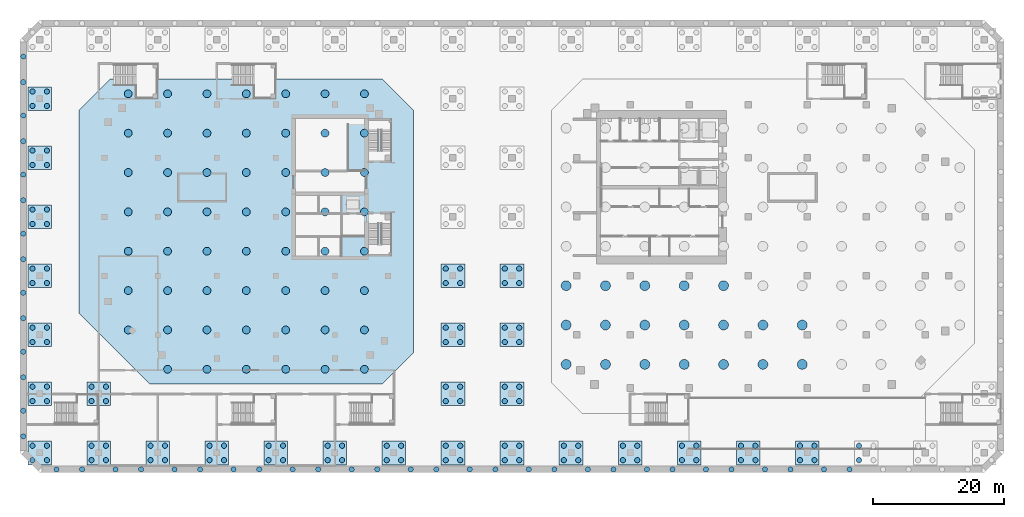
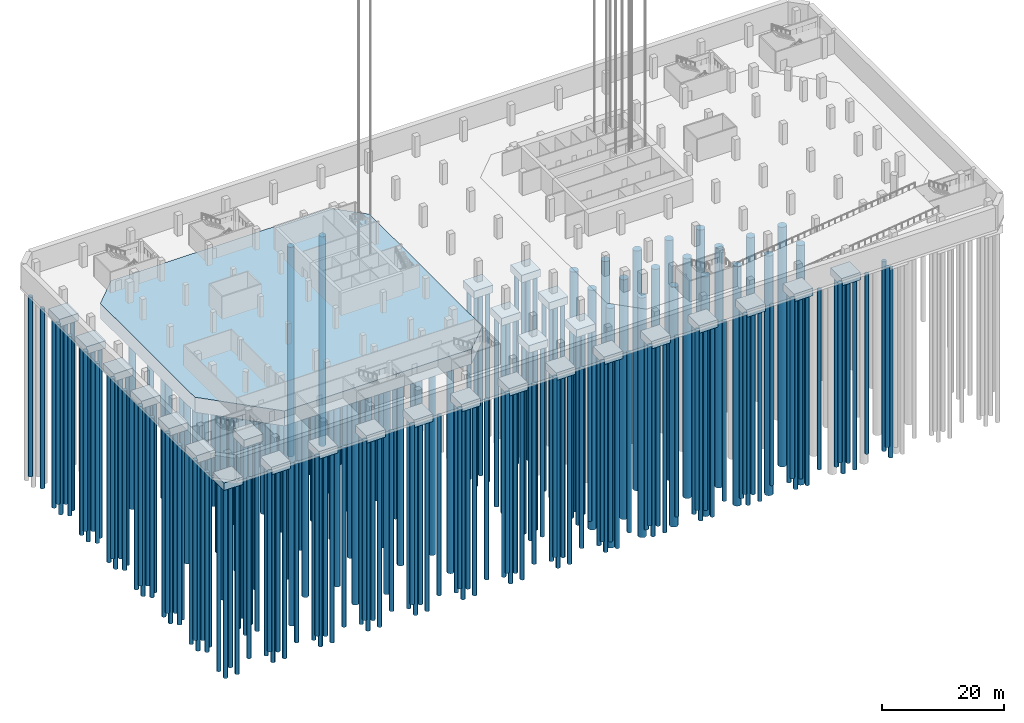
# One storey, part 1 of 30: 226 piles, 28 footings.
"""IFC4 building model written with IfcOpenShell, lengths in metres."""

from ifc_helpers import new_model, si_unit, direction, frame, origin, origin_2d, place, context, subcontext, project, spatial, polyline, circle, outline, extrude, material, layer, layer_set, type_object, element, save


model = new_model("IFC4")

# Units and contexts
model_context = context("Model", 3, precision=1e-05, world=origin(), true_north=direction((0.0, 1.0)))
body_context = subcontext(model_context, "Body", "Model", "MODEL_VIEW")
ifc_project = project(units=[si_unit("LENGTHUNIT", "METRE"), si_unit("AREAUNIT", "SQUARE_METRE"), si_unit("VOLUMEUNIT", "CUBIC_METRE"), si_unit("PLANEANGLEUNIT", "RADIAN"), si_unit("MASSUNIT", "GRAM", prefix="KILO")], contexts=[model_context])

# Site, building, storey
site_placement = place(None, origin())
site = spatial("IfcSite", under=ifc_project, at=site_placement, CompositionType="ELEMENT")
building_placement = place(site_placement, origin())
building = spatial("IfcBuilding", under=site, at=building_placement, Name="Cinnabar Reach Civic Tower", CompositionType="ELEMENT")
storey_placement = place(building_placement, frame((0.0, 0.0, -14.0)))
storey = spatial("IfcBuildingStorey", under=building, at=storey_placement, Name="B3", CompositionType="ELEMENT", Elevation=-14.0)

# Piles
ifc_material = material(Name="Concrete C40", Category="concrete")
pile_type_1 = type_object("IfcPileType", Name="Bored pile D1200", PredefinedType="BORED", material=ifc_material)
for number, where, z_axis, x_axis, name in (
    (1, (-67.5, 9.75, -3.0), (0.0, 0.0, -1.0), (1.0, 0.0, 0.0), "Raft pile T2 1"),
    (2, (-67.5, 15.75, -3.0), (0.0, 0.0, -1.0), (1.0, 0.0, 0.0), "Raft pile T2 2"),
    (3, (-67.5, 21.75, -3.0), (0.0, 0.0, -1.0), (1.0, 0.0, 0.0), "Raft pile T2 3"),
    (4, (-67.5, 27.75, -3.0), (0.0, 0.0, -1.0), (1.0, 0.0, 0.0), "Raft pile T2 4"),
    (5, (-67.5, 33.75, -3.0), (0.0, 0.0, -1.0), (1.0, 0.0, 0.0), "Raft pile T2 5"),
    (6, (-67.5, 39.75, -3.0), (0.0, 0.0, -1.0), (1.0, 0.0, 0.0), "Raft pile T2 6"),
    (7, (-67.5, 45.75, -3.0), (0.0, 0.0, -1.0), (1.0, 0.0, 0.0), "Raft pile T2 7"),
    (8, (-61.5, 3.75, -3.0), (0.0, 0.0, -1.0), (1.0, 0.0, 0.0), "Raft pile T2 8"),
    (9, (-61.5, 9.75, -3.0), (0.0, 0.0, -1.0), (1.0, 0.0, 0.0), "Raft pile T2 9"),
    (10, (-61.5, 15.75, -3.0), (0.0, 0.0, -1.0), (1.0, 0.0, 0.0), "Raft pile T2 10"),
    (11, (-61.5, 21.75, -3.0), (0.0, 0.0, -1.0), (1.0, 0.0, 0.0), "Raft pile T2 11"),
    (12, (-61.5, 27.75, -3.0), (0.0, 0.0, -1.0), (1.0, 0.0, 0.0), "Raft pile T2 12"),
    (13, (-61.5, 33.75, -3.0), (0.0, 0.0, -1.0), (1.0, 0.0, 0.0), "Raft pile T2 13"),
    (14, (-61.5, 39.75, -3.0), (0.0, 0.0, -1.0), (1.0, 0.0, 0.0), "Raft pile T2 14"),
    (15, (-61.5, 45.75, -3.0), (0.0, 0.0, -1.0), (1.0, 0.0, 0.0), "Raft pile T2 15"),
    (16, (-55.5, 3.75, -3.0), (0.0, 0.0, -1.0), (1.0, 0.0, 0.0), "Raft pile T2 16"),
    (17, (-55.5, 9.75, -3.0), (0.0, 0.0, -1.0), (1.0, 0.0, 0.0), "Raft pile T2 17"),
    (18, (-55.5, 15.75, -3.0), (0.0, 0.0, -1.0), (1.0, 0.0, 0.0), "Raft pile T2 18"),
    (19, (-55.5, 21.75, -3.0), (0.0, 0.0, -1.0), (1.0, 0.0, 0.0), "Raft pile T2 19"),
    (20, (-55.5, 27.75, -3.0), (0.0, 0.0, -1.0), (1.0, 0.0, 0.0), "Raft pile T2 20"),
    (21, (-55.5, 33.75, -3.0), (0.0, 0.0, -1.0), (1.0, 0.0, 0.0), "Raft pile T2 21"),
    (22, (-55.5, 39.75, -3.0), (0.0, 0.0, -1.0), (1.0, 0.0, 0.0), "Raft pile T2 22"),
    (23, (-55.5, 45.75, -3.0), (0.0, 0.0, -1.0), (1.0, 0.0, 0.0), "Raft pile T2 23"),
    (24, (-49.5, 3.75, -3.0), (0.0, 0.0, -1.0), (1.0, 0.0, 0.0), "Raft pile T2 24"),
    (25, (-49.5, 9.75, -3.0), (0.0, 0.0, -1.0), (1.0, 0.0, 0.0), "Raft pile T2 25"),
    (26, (-49.5, 15.75, -3.0), (0.0, 0.0, -1.0), (1.0, 0.0, 0.0), "Raft pile T2 26"),
    (27, (-49.5, 21.75, -3.0), (0.0, 0.0, -1.0), (1.0, 0.0, 0.0), "Raft pile T2 27"),
    (28, (-49.5, 27.75, -3.0), (0.0, 0.0, -1.0), (1.0, 0.0, 0.0), "Raft pile T2 28"),
    (29, (-49.5, 33.75, -3.0), (0.0, 0.0, -1.0), (1.0, 0.0, 0.0), "Raft pile T2 29"),
    (30, (-49.5, 39.75, -3.0), (0.0, 0.0, -1.0), (1.0, 0.0, 0.0), "Raft pile T2 30"),
    (31, (-49.5, 45.75, -3.0), (0.0, 0.0, -1.0), (1.0, 0.0, 0.0), "Raft pile T2 31"),
    (32, (-43.5, 3.75, -3.0), (0.0, 0.0, -1.0), (1.0, 0.0, 0.0), "Raft pile T2 32"),
    (33, (-43.5, 9.75, -3.0), (0.0, 0.0, -1.0), (1.0, 0.0, 0.0), "Raft pile T2 33"),
    (34, (-43.5, 15.75, -3.0), (0.0, 0.0, -1.0), (1.0, 0.0, 0.0), "Raft pile T2 34"),
    (35, (-43.5, 21.75, -3.0), (0.0, 0.0, -1.0), (1.0, 0.0, 0.0), "Raft pile T2 35"),
    (36, (-43.5, 27.75, -3.0), (0.0, 0.0, -1.0), (1.0, 0.0, 0.0), "Raft pile T2 36"),
    (37, (-43.5, 33.75, -3.0), (0.0, 0.0, -1.0), (1.0, 0.0, 0.0), "Raft pile T2 37"),
    (38, (-43.5, 39.75, -3.0), (0.0, 0.0, -1.0), (1.0, 0.0, 0.0), "Raft pile T2 38"),
    (39, (-43.5, 45.75, -3.0), (0.0, 0.0, -1.0), (1.0, 0.0, 0.0), "Raft pile T2 39"),
    (40, (-37.5, 3.75, -3.0), (0.0, 0.0, -1.0), (1.0, 0.0, 0.0), "Raft pile T2 40"),
    (41, (-37.5, 9.75, -3.0), (0.0, 0.0, -1.0), (1.0, 0.0, 0.0), "Raft pile T2 41"),
    (42, (-37.5, 15.75, -3.0), (0.0, 0.0, -1.0), (1.0, 0.0, 0.0), "Raft pile T2 42"),
    (43, (-37.5, 21.75, -3.0), (0.0, 0.0, -1.0), (1.0, 0.0, 0.0), "Raft pile T2 43"),
    (44, (-37.5, 27.75, -3.0), (0.0, 0.0, -1.0), (1.0, 0.0, 0.0), "Raft pile T2 44"),
    (45, (-37.5, 33.75, -3.0), (0.0, 0.0, -1.0), (1.0, 0.0, 0.0), "Raft pile T2 45"),
    (46, (-37.5, 39.75, -3.0), (0.0, 0.0, -1.0), (1.0, 0.0, 0.0), "Raft pile T2 46"),
    (47, (-37.5, 45.75, -3.0), (0.0, 0.0, -1.0), (1.0, 0.0, 0.0), "Raft pile T2 47"),
    (48, (-31.5, 3.75, -3.0), (0.0, 0.0, -1.0), (1.0, 0.0, 0.0), "Raft pile T2 48"),
    (49, (-31.5, 9.75, -3.0), (0.0, 0.0, -1.0), (1.0, 0.0, 0.0), "Raft pile T2 49"),
    (50, (-31.5, 15.75, -3.0), (0.0, 0.0, -1.0), (1.0, 0.0, 0.0), "Raft pile T2 50"),
    (51, (-31.5, 21.75, -3.0), (0.0, 0.0, -1.0), (1.0, 0.0, 0.0), "Raft pile T2 51"),
    (52, (-31.5, 27.75, -3.0), (0.0, 0.0, -1.0), (1.0, 0.0, 0.0), "Raft pile T2 52"),
    (53, (-31.5, 33.75, -3.0), (0.0, 0.0, -1.0), (1.0, 0.0, 0.0), "Raft pile T2 53"),
    (54, (-31.5, 39.75, -3.0), (0.0, 0.0, -1.0), (1.0, 0.0, 0.0), "Raft pile T2 54"),
    (55, (-31.5, 45.75, -3.0), (0.0, 0.0, -1.0), (1.0, 0.0, 0.0), "Raft pile T2 55"),
):
    element("IfcPile", number, at=place(storey_placement, frame(where, z_axis=z_axis, x_axis=x_axis)), inside=storey, type_object=pile_type_1, Name=name, PredefinedType="BORED", context=body_context, shape_type="SweptSolid", body=[
        extrude(circle(Radius=0.6, at=origin_2d()), origin(), (0.0, 0.0, 1.0), 42.0),
    ])
pile_type_2 = type_object("IfcPileType", Name="Bored pile D1500", PredefinedType="BORED", material=ifc_material)
for number, where, z_axis, x_axis, name in (
    (56, (-0.75, 4.5, -3.0), (0.0, 0.0, -1.0), (1.0, 0.0, 0.0), "Raft pile T1 1"),
    (57, (-0.75, 10.5, -3.0), (0.0, 0.0, -1.0), (1.0, 0.0, 0.0), "Raft pile T1 2"),
    (58, (-0.75, 16.5, -3.0), (0.0, 0.0, -1.0), (1.0, 0.0, 0.0), "Raft pile T1 3"),
    (59, (5.25, 4.5, -3.0), (0.0, 0.0, -1.0), (1.0, 0.0, 0.0), "Raft pile T1 8"),
    (60, (5.25, 10.5, -3.0), (0.0, 0.0, -1.0), (1.0, 0.0, 0.0), "Raft pile T1 9"),
    (61, (5.25, 16.5, -3.0), (0.0, 0.0, -1.0), (1.0, 0.0, 0.0), "Raft pile T1 10"),
    (62, (11.25, 4.5, -3.0), (0.0, 0.0, -1.0), (1.0, 0.0, 0.0), "Raft pile T1 15"),
    (63, (11.25, 10.5, -3.0), (0.0, 0.0, -1.0), (1.0, 0.0, 0.0), "Raft pile T1 16"),
    (64, (11.25, 16.5, -3.0), (0.0, 0.0, -1.0), (1.0, 0.0, 0.0), "Raft pile T1 17"),
    (65, (17.25, 4.5, -3.0), (0.0, 0.0, -1.0), (1.0, 0.0, 0.0), "Raft pile T1 22"),
    (66, (17.25, 10.5, -3.0), (0.0, 0.0, -1.0), (1.0, 0.0, 0.0), "Raft pile T1 23"),
    (67, (17.25, 16.5, -3.0), (0.0, 0.0, -1.0), (1.0, 0.0, 0.0), "Raft pile T1 24"),
    (68, (23.25, 4.5, -3.0), (0.0, 0.0, -1.0), (1.0, 0.0, 0.0), "Raft pile T1 29"),
    (69, (23.25, 10.5, -3.0), (0.0, 0.0, -1.0), (1.0, 0.0, 0.0), "Raft pile T1 30"),
    (70, (23.25, 16.5, -3.0), (0.0, 0.0, -1.0), (1.0, 0.0, 0.0), "Raft pile T1 31"),
    (71, (29.25, 4.5, -3.0), (0.0, 0.0, -1.0), (1.0, 0.0, 0.0), "Raft pile T1 36"),
    (72, (29.25, 10.5, -3.0), (0.0, 0.0, -1.0), (1.0, 0.0, 0.0), "Raft pile T1 37"),
    (73, (35.25, 4.5, -3.0), (0.0, 0.0, -1.0), (1.0, 0.0, 0.0), "Raft pile T1 43"),
    (74, (35.25, 10.5, -3.0), (0.0, 0.0, -1.0), (1.0, 0.0, 0.0), "Raft pile T1 44"),
):
    element("IfcPile", number, at=place(storey_placement, frame(where, z_axis=z_axis, x_axis=x_axis)), inside=storey, type_object=pile_type_2, Name=name, PredefinedType="BORED", context=body_context, shape_type="SweptSolid", body=[
        extrude(circle(Radius=0.75, at=origin_2d()), origin(), (0.0, 0.0, 1.0), 48.0),
    ])
pile_type_3 = type_object("IfcPileType", Name="Bored pile D800", PredefinedType="BORED", material=ifc_material)
for number, where, z_axis, x_axis, name in (
    (75, (-83.5, -6.471, -0.5), (0.0, 0.0, -1.0), (1.0, 0.0, 0.0), "Wall pile 2.1"),
    (76, (-83.5, -2.571, -0.5), (0.0, 0.0, -1.0), (1.0, 0.0, 0.0), "Wall pile 2.2"),
    (77, (-83.5, 2.529, -0.5), (0.0, 0.0, -1.0), (1.0, 0.0, 0.0), "Wall pile 2.3"),
    (78, (-83.5, 6.429, -0.5), (0.0, 0.0, -1.0), (1.0, 0.0, 0.0), "Wall pile 2.4"),
    (79, (-83.5, 11.529, -0.5), (0.0, 0.0, -1.0), (1.0, 0.0, 0.0), "Wall pile 2.5"),
    (80, (-83.5, 15.429, -0.5), (0.0, 0.0, -1.0), (1.0, 0.0, 0.0), "Wall pile 2.6"),
    (81, (-83.5, 20.529, -0.5), (0.0, 0.0, -1.0), (1.0, 0.0, 0.0), "Wall pile 2.7"),
    (82, (-83.5, 24.429, -0.5), (0.0, 0.0, -1.0), (1.0, 0.0, 0.0), "Wall pile 2.8"),
    (83, (-83.5, 29.529, -0.5), (0.0, 0.0, -1.0), (1.0, 0.0, 0.0), "Wall pile 2.9"),
    (84, (-83.5, 33.429, -0.5), (0.0, 0.0, -1.0), (1.0, 0.0, 0.0), "Wall pile 2.10"),
    (85, (-83.5, 38.529, -0.5), (0.0, 0.0, -1.0), (1.0, 0.0, 0.0), "Wall pile 2.11"),
    (86, (-83.5, 42.429, -0.5), (0.0, 0.0, -1.0), (1.0, 0.0, 0.0), "Wall pile 2.12"),
    (87, (-83.5, 47.529, -0.5), (0.0, 0.0, -1.0), (1.0, 0.0, 0.0), "Wall pile 2.13"),
    (88, (-83.5, 51.429, -0.5), (0.0, 0.0, -1.0), (1.0, 0.0, 0.0), "Wall pile 2.14"),
    (89, (-78.436, -11.5, -0.5), (0.0, 0.0, -1.0), (1.0, 0.0, 0.0), "Wall pile 8.1"),
    (90, (42.464, -11.5, -0.5), (0.0, 0.0, -1.0), (1.0, 0.0, 0.0), "Wall pile 8.6"),
    (91, (38.564, -11.5, -0.5), (0.0, 0.0, -1.0), (1.0, 0.0, 0.0), "Wall pile 8.7"),
    (92, (33.464, -11.5, -0.5), (0.0, 0.0, -1.0), (1.0, 0.0, 0.0), "Wall pile 8.8"),
    (93, (29.564, -11.5, -0.5), (0.0, 0.0, -1.0), (1.0, 0.0, 0.0), "Wall pile 8.9"),
    (94, (24.464, -11.5, -0.5), (0.0, 0.0, -1.0), (1.0, 0.0, 0.0), "Wall pile 8.10"),
    (95, (20.564, -11.5, -0.5), (0.0, 0.0, -1.0), (1.0, 0.0, 0.0), "Wall pile 8.11"),
    (96, (15.464, -11.5, -0.5), (0.0, 0.0, -1.0), (1.0, 0.0, 0.0), "Wall pile 8.12"),
    (97, (11.564, -11.5, -0.5), (0.0, 0.0, -1.0), (1.0, 0.0, 0.0), "Wall pile 8.13"),
    (98, (6.464, -11.5, -0.5), (0.0, 0.0, -1.0), (1.0, 0.0, 0.0), "Wall pile 8.14"),
    (99, (2.564, -11.5, -0.5), (0.0, 0.0, -1.0), (1.0, 0.0, 0.0), "Wall pile 8.15"),
    (100, (-2.536, -11.5, -0.5), (0.0, 0.0, -1.0), (1.0, 0.0, 0.0), "Wall pile 8.16"),
    (101, (-6.436, -11.5, -0.5), (0.0, 0.0, -1.0), (1.0, 0.0, 0.0), "Wall pile 8.17"),
    (102, (-11.536, -11.5, -0.5), (0.0, 0.0, -1.0), (1.0, 0.0, 0.0), "Wall pile 8.18"),
    (103, (-15.436, -11.5, -0.5), (0.0, 0.0, -1.0), (1.0, 0.0, 0.0), "Wall pile 8.19"),
    (104, (-20.536, -11.5, -0.5), (0.0, 0.0, -1.0), (1.0, 0.0, 0.0), "Wall pile 8.20"),
    (105, (-24.436, -11.5, -0.5), (0.0, 0.0, -1.0), (1.0, 0.0, 0.0), "Wall pile 8.21"),
    (106, (-29.536, -11.5, -0.5), (0.0, 0.0, -1.0), (1.0, 0.0, 0.0), "Wall pile 8.22"),
    (107, (-33.436, -11.5, -0.5), (0.0, 0.0, -1.0), (1.0, 0.0, 0.0), "Wall pile 8.23"),
    (108, (-38.536, -11.5, -0.5), (0.0, 0.0, -1.0), (1.0, 0.0, 0.0), "Wall pile 8.24"),
    (109, (-42.436, -11.5, -0.5), (0.0, 0.0, -1.0), (1.0, 0.0, 0.0), "Wall pile 8.25"),
    (110, (-47.536, -11.5, -0.5), (0.0, 0.0, -1.0), (1.0, 0.0, 0.0), "Wall pile 8.26"),
    (111, (-51.436, -11.5, -0.5), (0.0, 0.0, -1.0), (1.0, 0.0, 0.0), "Wall pile 8.27"),
    (112, (-56.536, -11.5, -0.5), (0.0, 0.0, -1.0), (1.0, 0.0, 0.0), "Wall pile 8.28"),
    (113, (-60.436, -11.5, -0.5), (0.0, 0.0, -1.0), (1.0, 0.0, 0.0), "Wall pile 8.29"),
    (114, (-65.536, -11.5, -0.5), (0.0, 0.0, -1.0), (1.0, 0.0, 0.0), "Wall pile 8.30"),
    (115, (-69.436, -11.5, -0.5), (0.0, 0.0, -1.0), (1.0, 0.0, 0.0), "Wall pile 8.31"),
    (116, (-74.536, -11.5, -0.5), (0.0, 0.0, -1.0), (1.0, 0.0, 0.0), "Wall pile 8.32"),
):
    element("IfcPile", number, at=place(storey_placement, frame(where, z_axis=z_axis, x_axis=x_axis)), inside=storey, type_object=pile_type_3, Name=name, PredefinedType="BORED", context=body_context, shape_type="SweptSolid", body=[
        extrude(circle(Radius=0.4, at=origin_2d()), origin(), (0.0, 0.0, 1.0), 36.0),
    ])
for number, where, z_axis, x_axis, name in (
    (117, (-82.1, -10.1, -2.0), (0.0, 0.0, -1.0), (1.0, 0.0, 0.0), "Pile -81/-9.1"),
    (118, (-79.9, -10.1, -2.0), (0.0, 0.0, -1.0), (1.0, 0.0, 0.0), "Pile -81/-9.2"),
    (119, (-79.9, -7.9, -2.0), (0.0, 0.0, -1.0), (1.0, 0.0, 0.0), "Pile -81/-9.3"),
    (120, (-82.1, -7.9, -2.0), (0.0, 0.0, -1.0), (1.0, 0.0, 0.0), "Pile -81/-9.4"),
    (121, (-82.1, -1.1, -2.0), (0.0, 0.0, -1.0), (1.0, 0.0, 0.0), "Pile -81/0.1"),
    (122, (-79.9, -1.1, -2.0), (0.0, 0.0, -1.0), (1.0, 0.0, 0.0), "Pile -81/0.2"),
    (123, (-79.9, 1.1, -2.0), (0.0, 0.0, -1.0), (1.0, 0.0, 0.0), "Pile -81/0.3"),
    (124, (-82.1, 1.1, -2.0), (0.0, 0.0, -1.0), (1.0, 0.0, 0.0), "Pile -81/0.4"),
    (125, (-82.1, 7.9, -2.0), (0.0, 0.0, -1.0), (1.0, 0.0, 0.0), "Pile -81/9.1"),
    (126, (-79.9, 7.9, -2.0), (0.0, 0.0, -1.0), (1.0, 0.0, 0.0), "Pile -81/9.2"),
    (127, (-79.9, 10.1, -2.0), (0.0, 0.0, -1.0), (1.0, 0.0, 0.0), "Pile -81/9.3"),
    (128, (-82.1, 10.1, -2.0), (0.0, 0.0, -1.0), (1.0, 0.0, 0.0), "Pile -81/9.4"),
    (129, (-82.1, 16.9, -2.0), (0.0, 0.0, -1.0), (1.0, 0.0, 0.0), "Pile -81/18.1"),
    (130, (-79.9, 16.9, -2.0), (0.0, 0.0, -1.0), (1.0, 0.0, 0.0), "Pile -81/18.2"),
    (131, (-79.9, 19.1, -2.0), (0.0, 0.0, -1.0), (1.0, 0.0, 0.0), "Pile -81/18.3"),
    (132, (-82.1, 19.1, -2.0), (0.0, 0.0, -1.0), (1.0, 0.0, 0.0), "Pile -81/18.4"),
    (133, (-82.1, 25.9, -2.0), (0.0, 0.0, -1.0), (1.0, 0.0, 0.0), "Pile -81/27.1"),
    (134, (-79.9, 25.9, -2.0), (0.0, 0.0, -1.0), (1.0, 0.0, 0.0), "Pile -81/27.2"),
    (135, (-79.9, 28.1, -2.0), (0.0, 0.0, -1.0), (1.0, 0.0, 0.0), "Pile -81/27.3"),
    (136, (-82.1, 28.1, -2.0), (0.0, 0.0, -1.0), (1.0, 0.0, 0.0), "Pile -81/27.4"),
    (137, (-82.1, 34.9, -2.0), (0.0, 0.0, -1.0), (1.0, 0.0, 0.0), "Pile -81/36.1"),
    (138, (-79.9, 34.9, -2.0), (0.0, 0.0, -1.0), (1.0, 0.0, 0.0), "Pile -81/36.2"),
    (139, (-79.9, 37.1, -2.0), (0.0, 0.0, -1.0), (1.0, 0.0, 0.0), "Pile -81/36.3"),
    (140, (-82.1, 37.1, -2.0), (0.0, 0.0, -1.0), (1.0, 0.0, 0.0), "Pile -81/36.4"),
    (141, (-82.1, 43.9, -2.0), (0.0, 0.0, -1.0), (1.0, 0.0, 0.0), "Pile -81/45.1"),
    (142, (-79.9, 43.9, -2.0), (0.0, 0.0, -1.0), (1.0, 0.0, 0.0), "Pile -81/45.2"),
    (143, (-79.9, 46.1, -2.0), (0.0, 0.0, -1.0), (1.0, 0.0, 0.0), "Pile -81/45.3"),
    (144, (-82.1, 46.1, -2.0), (0.0, 0.0, -1.0), (1.0, 0.0, 0.0), "Pile -81/45.4"),
    (145, (-73.1, -10.1, -2.0), (0.0, 0.0, -1.0), (1.0, 0.0, 0.0), "Pile -72/-9.1"),
    (146, (-70.9, -10.1, -2.0), (0.0, 0.0, -1.0), (1.0, 0.0, 0.0), "Pile -72/-9.2"),
    (147, (-70.9, -7.9, -2.0), (0.0, 0.0, -1.0), (1.0, 0.0, 0.0), "Pile -72/-9.3"),
    (148, (-73.1, -7.9, -2.0), (0.0, 0.0, -1.0), (1.0, 0.0, 0.0), "Pile -72/-9.4"),
    (149, (-73.1, -1.1, -2.0), (0.0, 0.0, -1.0), (1.0, 0.0, 0.0), "Pile -72/0.1"),
    (150, (-70.9, -1.1, -2.0), (0.0, 0.0, -1.0), (1.0, 0.0, 0.0), "Pile -72/0.2"),
    (151, (-70.9, 1.1, -2.0), (0.0, 0.0, -1.0), (1.0, 0.0, 0.0), "Pile -72/0.3"),
    (152, (-73.1, 1.1, -2.0), (0.0, 0.0, -1.0), (1.0, 0.0, 0.0), "Pile -72/0.4"),
    (153, (-64.1, -10.1, -2.0), (0.0, 0.0, -1.0), (1.0, 0.0, 0.0), "Pile -63/-9.1"),
    (154, (-61.9, -10.1, -2.0), (0.0, 0.0, -1.0), (1.0, 0.0, 0.0), "Pile -63/-9.2"),
    (155, (-61.9, -7.9, -2.0), (0.0, 0.0, -1.0), (1.0, 0.0, 0.0), "Pile -63/-9.3"),
    (156, (-64.1, -7.9, -2.0), (0.0, 0.0, -1.0), (1.0, 0.0, 0.0), "Pile -63/-9.4"),
    (157, (-55.1, -10.1, -2.0), (0.0, 0.0, -1.0), (1.0, 0.0, 0.0), "Pile -54/-9.1"),
    (158, (-52.9, -10.1, -2.0), (0.0, 0.0, -1.0), (1.0, 0.0, 0.0), "Pile -54/-9.2"),
    (159, (-52.9, -7.9, -2.0), (0.0, 0.0, -1.0), (1.0, 0.0, 0.0), "Pile -54/-9.3"),
    (160, (-55.1, -7.9, -2.0), (0.0, 0.0, -1.0), (1.0, 0.0, 0.0), "Pile -54/-9.4"),
    (161, (-46.1, -10.1, -2.0), (0.0, 0.0, -1.0), (1.0, 0.0, 0.0), "Pile -45/-9.1"),
    (162, (-43.9, -10.1, -2.0), (0.0, 0.0, -1.0), (1.0, 0.0, 0.0), "Pile -45/-9.2"),
    (163, (-43.9, -7.9, -2.0), (0.0, 0.0, -1.0), (1.0, 0.0, 0.0), "Pile -45/-9.3"),
    (164, (-46.1, -7.9, -2.0), (0.0, 0.0, -1.0), (1.0, 0.0, 0.0), "Pile -45/-9.4"),
    (165, (-37.1, -10.1, -2.0), (0.0, 0.0, -1.0), (1.0, 0.0, 0.0), "Pile -36/-9.1"),
    (166, (-34.9, -10.1, -2.0), (0.0, 0.0, -1.0), (1.0, 0.0, 0.0), "Pile -36/-9.2"),
    (167, (-34.9, -7.9, -2.0), (0.0, 0.0, -1.0), (1.0, 0.0, 0.0), "Pile -36/-9.3"),
    (168, (-37.1, -7.9, -2.0), (0.0, 0.0, -1.0), (1.0, 0.0, 0.0), "Pile -36/-9.4"),
    (169, (-28.1, -10.1, -2.0), (0.0, 0.0, -1.0), (1.0, 0.0, 0.0), "Pile -27/-9.1"),
    (170, (-25.9, -10.1, -2.0), (0.0, 0.0, -1.0), (1.0, 0.0, 0.0), "Pile -27/-9.2"),
    (171, (-25.9, -7.9, -2.0), (0.0, 0.0, -1.0), (1.0, 0.0, 0.0), "Pile -27/-9.3"),
    (172, (-28.1, -7.9, -2.0), (0.0, 0.0, -1.0), (1.0, 0.0, 0.0), "Pile -27/-9.4"),
    (173, (-19.1, -10.1, -2.0), (0.0, 0.0, -1.0), (1.0, 0.0, 0.0), "Pile -18/-9.1"),
    (174, (-16.9, -10.1, -2.0), (0.0, 0.0, -1.0), (1.0, 0.0, 0.0), "Pile -18/-9.2"),
    (175, (-16.9, -7.9, -2.0), (0.0, 0.0, -1.0), (1.0, 0.0, 0.0), "Pile -18/-9.3"),
    (176, (-19.1, -7.9, -2.0), (0.0, 0.0, -1.0), (1.0, 0.0, 0.0), "Pile -18/-9.4"),
    (177, (-19.1, -1.1, -2.0), (0.0, 0.0, -1.0), (1.0, 0.0, 0.0), "Pile -18/0.1"),
    (178, (-16.9, -1.1, -2.0), (0.0, 0.0, -1.0), (1.0, 0.0, 0.0), "Pile -18/0.2"),
    (179, (-16.9, 1.1, -2.0), (0.0, 0.0, -1.0), (1.0, 0.0, 0.0), "Pile -18/0.3"),
    (180, (-19.1, 1.1, -2.0), (0.0, 0.0, -1.0), (1.0, 0.0, 0.0), "Pile -18/0.4"),
    (181, (-19.1, 7.9, -2.0), (0.0, 0.0, -1.0), (1.0, 0.0, 0.0), "Pile -18/9.1"),
    (182, (-16.9, 7.9, -2.0), (0.0, 0.0, -1.0), (1.0, 0.0, 0.0), "Pile -18/9.2"),
    (183, (-16.9, 10.1, -2.0), (0.0, 0.0, -1.0), (1.0, 0.0, 0.0), "Pile -18/9.3"),
    (184, (-19.1, 10.1, -2.0), (0.0, 0.0, -1.0), (1.0, 0.0, 0.0), "Pile -18/9.4"),
    (185, (-19.1, 16.9, -2.0), (0.0, 0.0, -1.0), (1.0, 0.0, 0.0), "Pile -18/18.1"),
    (186, (-16.9, 16.9, -2.0), (0.0, 0.0, -1.0), (1.0, 0.0, 0.0), "Pile -18/18.2"),
    (187, (-16.9, 19.1, -2.0), (0.0, 0.0, -1.0), (1.0, 0.0, 0.0), "Pile -18/18.3"),
    (188, (-19.1, 19.1, -2.0), (0.0, 0.0, -1.0), (1.0, 0.0, 0.0), "Pile -18/18.4"),
    (189, (-10.1, -10.1, -2.0), (0.0, 0.0, -1.0), (1.0, 0.0, 0.0), "Pile -9/-9.1"),
    (190, (-7.9, -10.1, -2.0), (0.0, 0.0, -1.0), (1.0, 0.0, 0.0), "Pile -9/-9.2"),
    (191, (-7.9, -7.9, -2.0), (0.0, 0.0, -1.0), (1.0, 0.0, 0.0), "Pile -9/-9.3"),
    (192, (-10.1, -7.9, -2.0), (0.0, 0.0, -1.0), (1.0, 0.0, 0.0), "Pile -9/-9.4"),
    (193, (-10.1, -1.1, -2.0), (0.0, 0.0, -1.0), (1.0, 0.0, 0.0), "Pile -9/0.1"),
    (194, (-7.9, -1.1, -2.0), (0.0, 0.0, -1.0), (1.0, 0.0, 0.0), "Pile -9/0.2"),
    (195, (-7.9, 1.1, -2.0), (0.0, 0.0, -1.0), (1.0, 0.0, 0.0), "Pile -9/0.3"),
    (196, (-10.1, 1.1, -2.0), (0.0, 0.0, -1.0), (1.0, 0.0, 0.0), "Pile -9/0.4"),
    (197, (-10.1, 7.9, -2.0), (0.0, 0.0, -1.0), (1.0, 0.0, 0.0), "Pile -9/9.1"),
    (198, (-7.9, 7.9, -2.0), (0.0, 0.0, -1.0), (1.0, 0.0, 0.0), "Pile -9/9.2"),
    (199, (-7.9, 10.1, -2.0), (0.0, 0.0, -1.0), (1.0, 0.0, 0.0), "Pile -9/9.3"),
    (200, (-10.1, 10.1, -2.0), (0.0, 0.0, -1.0), (1.0, 0.0, 0.0), "Pile -9/9.4"),
    (201, (-10.1, 16.9, -2.0), (0.0, 0.0, -1.0), (1.0, 0.0, 0.0), "Pile -9/18.1"),
    (202, (-7.9, 16.9, -2.0), (0.0, 0.0, -1.0), (1.0, 0.0, 0.0), "Pile -9/18.2"),
    (203, (-7.9, 19.1, -2.0), (0.0, 0.0, -1.0), (1.0, 0.0, 0.0), "Pile -9/18.3"),
    (204, (-10.1, 19.1, -2.0), (0.0, 0.0, -1.0), (1.0, 0.0, 0.0), "Pile -9/18.4"),
    (205, (-1.1, -10.1, -2.0), (0.0, 0.0, -1.0), (1.0, 0.0, 0.0), "Pile 0/-9.1"),
    (206, (1.1, -10.1, -2.0), (0.0, 0.0, -1.0), (1.0, 0.0, 0.0), "Pile 0/-9.2"),
    (207, (1.1, -7.9, -2.0), (0.0, 0.0, -1.0), (1.0, 0.0, 0.0), "Pile 0/-9.3"),
    (208, (-1.1, -7.9, -2.0), (0.0, 0.0, -1.0), (1.0, 0.0, 0.0), "Pile 0/-9.4"),
    (209, (7.9, -10.1, -2.0), (0.0, 0.0, -1.0), (1.0, 0.0, 0.0), "Pile 9/-9.1"),
    (210, (10.1, -10.1, -2.0), (0.0, 0.0, -1.0), (1.0, 0.0, 0.0), "Pile 9/-9.2"),
    (211, (10.1, -7.9, -2.0), (0.0, 0.0, -1.0), (1.0, 0.0, 0.0), "Pile 9/-9.3"),
    (212, (7.9, -7.9, -2.0), (0.0, 0.0, -1.0), (1.0, 0.0, 0.0), "Pile 9/-9.4"),
    (213, (16.9, -10.1, -2.0), (0.0, 0.0, -1.0), (1.0, 0.0, 0.0), "Pile 18/-9.1"),
    (214, (19.1, -10.1, -2.0), (0.0, 0.0, -1.0), (1.0, 0.0, 0.0), "Pile 18/-9.2"),
    (215, (19.1, -7.9, -2.0), (0.0, 0.0, -1.0), (1.0, 0.0, 0.0), "Pile 18/-9.3"),
    (216, (16.9, -7.9, -2.0), (0.0, 0.0, -1.0), (1.0, 0.0, 0.0), "Pile 18/-9.4"),
    (217, (25.9, -10.1, -2.0), (0.0, 0.0, -1.0), (1.0, 0.0, 0.0), "Pile 27/-9.1"),
    (218, (28.1, -10.1, -2.0), (0.0, 0.0, -1.0), (1.0, 0.0, 0.0), "Pile 27/-9.2"),
    (219, (28.1, -7.9, -2.0), (0.0, 0.0, -1.0), (1.0, 0.0, 0.0), "Pile 27/-9.3"),
    (220, (25.9, -7.9, -2.0), (0.0, 0.0, -1.0), (1.0, 0.0, 0.0), "Pile 27/-9.4"),
    (221, (34.9, -10.1, -2.0), (0.0, 0.0, -1.0), (1.0, 0.0, 0.0), "Pile 36/-9.1"),
    (222, (37.1, -10.1, -2.0), (0.0, 0.0, -1.0), (1.0, 0.0, 0.0), "Pile 36/-9.2"),
    (223, (37.1, -7.9, -2.0), (0.0, 0.0, -1.0), (1.0, 0.0, 0.0), "Pile 36/-9.3"),
    (224, (34.9, -7.9, -2.0), (0.0, 0.0, -1.0), (1.0, 0.0, 0.0), "Pile 36/-9.4"),
    (225, (43.9, -10.1, -2.0), (0.0, 0.0, -1.0), (1.0, 0.0, 0.0), "Pile 45/-9.1"),
    (226, (43.9, -7.9, -2.0), (0.0, 0.0, -1.0), (1.0, 0.0, 0.0), "Pile 45/-9.4"),
):
    element("IfcPile", number, at=place(storey_placement, frame(where, z_axis=z_axis, x_axis=x_axis)), inside=storey, type_object=pile_type_3, Name=name, PredefinedType="BORED", context=body_context, shape_type="SweptSolid", body=[
        extrude(circle(Radius=0.4, at=origin_2d()), origin(), (0.0, 0.0, 1.0), 38.0),
    ])

# Footings
ifc_layer_1 = layer(ifc_material, 1.0)
ifc_layer_set_1 = layer_set([ifc_layer_1], Name="Pile cap 3600")
footing_type_1 = type_object("IfcFootingType", Name="Pile cap 3600", PredefinedType="PILE_CAP", material=ifc_layer_set_1)
footing_1_placement = place(storey_placement, frame((0.0, 0.0, -2.0)))
element("IfcFooting", 227, at=footing_1_placement, inside=storey, type_object=footing_type_1, Name="Pile cap -81/-9", PredefinedType="PILE_CAP", context=body_context, shape_type="SweptSolid", body=[
    extrude(outline(polyline([(-82.8, -10.8), (-79.2, -10.8), (-79.2, -7.2), (-82.8, -7.2), (-82.8, -10.8)])), origin(), (0.0, 0.0, 1.0), 1.5),
])
footing_2_placement = place(storey_placement, frame((0.0, 0.0, -2.0)))
element("IfcFooting", 228, at=footing_2_placement, inside=storey, type_object=footing_type_1, Name="Pile cap -81/0", PredefinedType="PILE_CAP", context=body_context, shape_type="SweptSolid", body=[
    extrude(outline(polyline([(-82.8, -1.8), (-79.2, -1.8), (-79.2, 1.8), (-82.8, 1.8), (-82.8, -1.8)])), origin(), (0.0, 0.0, 1.0), 1.5),
])
footing_3_placement = place(storey_placement, frame((0.0, 0.0, -2.0)))
element("IfcFooting", 229, at=footing_3_placement, inside=storey, type_object=footing_type_1, Name="Pile cap -81/9", PredefinedType="PILE_CAP", context=body_context, shape_type="SweptSolid", body=[
    extrude(outline(polyline([(-82.8, 7.2), (-79.2, 7.2), (-79.2, 10.8), (-82.8, 10.8), (-82.8, 7.2)])), origin(), (0.0, 0.0, 1.0), 1.5),
])
footing_4_placement = place(storey_placement, frame((0.0, 0.0, -2.0)))
element("IfcFooting", 230, at=footing_4_placement, inside=storey, type_object=footing_type_1, Name="Pile cap -81/18", PredefinedType="PILE_CAP", context=body_context, shape_type="SweptSolid", body=[
    extrude(outline(polyline([(-82.8, 16.2), (-79.2, 16.2), (-79.2, 19.8), (-82.8, 19.8), (-82.8, 16.2)])), origin(), (0.0, 0.0, 1.0), 1.5),
])
footing_5_placement = place(storey_placement, frame((0.0, 0.0, -2.0)))
element("IfcFooting", 231, at=footing_5_placement, inside=storey, type_object=footing_type_1, Name="Pile cap -81/27", PredefinedType="PILE_CAP", context=body_context, shape_type="SweptSolid", body=[
    extrude(outline(polyline([(-82.8, 25.2), (-79.2, 25.2), (-79.2, 28.8), (-82.8, 28.8), (-82.8, 25.2)])), origin(), (0.0, 0.0, 1.0), 1.5),
])
footing_6_placement = place(storey_placement, frame((0.0, 0.0, -2.0)))
element("IfcFooting", 232, at=footing_6_placement, inside=storey, type_object=footing_type_1, Name="Pile cap -81/36", PredefinedType="PILE_CAP", context=body_context, shape_type="SweptSolid", body=[
    extrude(outline(polyline([(-82.8, 34.2), (-79.2, 34.2), (-79.2, 37.8), (-82.8, 37.8), (-82.8, 34.2)])), origin(), (0.0, 0.0, 1.0), 1.5),
])
footing_7_placement = place(storey_placement, frame((0.0, 0.0, -2.0)))
element("IfcFooting", 233, at=footing_7_placement, inside=storey, type_object=footing_type_1, Name="Pile cap -81/45", PredefinedType="PILE_CAP", context=body_context, shape_type="SweptSolid", body=[
    extrude(outline(polyline([(-82.8, 43.2), (-79.2, 43.2), (-79.2, 46.8), (-82.8, 46.8), (-82.8, 43.2)])), origin(), (0.0, 0.0, 1.0), 1.5),
])
footing_8_placement = place(storey_placement, frame((0.0, 0.0, -2.0)))
element("IfcFooting", 234, at=footing_8_placement, inside=storey, type_object=footing_type_1, Name="Pile cap -72/-9", PredefinedType="PILE_CAP", context=body_context, shape_type="SweptSolid", body=[
    extrude(outline(polyline([(-73.8, -10.8), (-70.2, -10.8), (-70.2, -7.2), (-73.8, -7.2), (-73.8, -10.8)])), origin(), (0.0, 0.0, 1.0), 1.5),
])
footing_9_placement = place(storey_placement, frame((0.0, 0.0, -2.0)))
element("IfcFooting", 235, at=footing_9_placement, inside=storey, type_object=footing_type_1, Name="Pile cap -72/0", PredefinedType="PILE_CAP", context=body_context, shape_type="SweptSolid", body=[
    extrude(outline(polyline([(-73.8, -1.8), (-70.2, -1.8), (-70.2, 1.8), (-73.8, 1.8), (-73.8, -1.8)])), origin(), (0.0, 0.0, 1.0), 1.5),
])
footing_10_placement = place(storey_placement, frame((0.0, 0.0, -2.0)))
element("IfcFooting", 236, at=footing_10_placement, inside=storey, type_object=footing_type_1, Name="Pile cap -63/-9", PredefinedType="PILE_CAP", context=body_context, shape_type="SweptSolid", body=[
    extrude(outline(polyline([(-64.8, -10.8), (-61.2, -10.8), (-61.2, -7.2), (-64.8, -7.2), (-64.8, -10.8)])), origin(), (0.0, 0.0, 1.0), 1.5),
])
footing_11_placement = place(storey_placement, frame((0.0, 0.0, -2.0)))
element("IfcFooting", 237, at=footing_11_placement, inside=storey, type_object=footing_type_1, Name="Pile cap -54/-9", PredefinedType="PILE_CAP", context=body_context, shape_type="SweptSolid", body=[
    extrude(outline(polyline([(-55.8, -10.8), (-52.2, -10.8), (-52.2, -7.2), (-55.8, -7.2), (-55.8, -10.8)])), origin(), (0.0, 0.0, 1.0), 1.5),
])
footing_12_placement = place(storey_placement, frame((0.0, 0.0, -2.0)))
element("IfcFooting", 238, at=footing_12_placement, inside=storey, type_object=footing_type_1, Name="Pile cap -45/-9", PredefinedType="PILE_CAP", context=body_context, shape_type="SweptSolid", body=[
    extrude(outline(polyline([(-46.8, -10.8), (-43.2, -10.8), (-43.2, -7.2), (-46.8, -7.2), (-46.8, -10.8)])), origin(), (0.0, 0.0, 1.0), 1.5),
])
footing_13_placement = place(storey_placement, frame((0.0, 0.0, -2.0)))
element("IfcFooting", 239, at=footing_13_placement, inside=storey, type_object=footing_type_1, Name="Pile cap -36/-9", PredefinedType="PILE_CAP", context=body_context, shape_type="SweptSolid", body=[
    extrude(outline(polyline([(-37.8, -10.8), (-34.2, -10.8), (-34.2, -7.2), (-37.8, -7.2), (-37.8, -10.8)])), origin(), (0.0, 0.0, 1.0), 1.5),
])
footing_14_placement = place(storey_placement, frame((0.0, 0.0, -2.0)))
element("IfcFooting", 240, at=footing_14_placement, inside=storey, type_object=footing_type_1, Name="Pile cap -27/-9", PredefinedType="PILE_CAP", context=body_context, shape_type="SweptSolid", body=[
    extrude(outline(polyline([(-28.8, -10.8), (-25.2, -10.8), (-25.2, -7.2), (-28.8, -7.2), (-28.8, -10.8)])), origin(), (0.0, 0.0, 1.0), 1.5),
])
footing_15_placement = place(storey_placement, frame((0.0, 0.0, -2.0)))
element("IfcFooting", 241, at=footing_15_placement, inside=storey, type_object=footing_type_1, Name="Pile cap -18/-9", PredefinedType="PILE_CAP", context=body_context, shape_type="SweptSolid", body=[
    extrude(outline(polyline([(-19.8, -10.8), (-16.2, -10.8), (-16.2, -7.2), (-19.8, -7.2), (-19.8, -10.8)])), origin(), (0.0, 0.0, 1.0), 1.5),
])
footing_16_placement = place(storey_placement, frame((0.0, 0.0, -2.0)))
element("IfcFooting", 242, at=footing_16_placement, inside=storey, type_object=footing_type_1, Name="Pile cap -18/0", PredefinedType="PILE_CAP", context=body_context, shape_type="SweptSolid", body=[
    extrude(outline(polyline([(-19.8, -1.8), (-16.2, -1.8), (-16.2, 1.8), (-19.8, 1.8), (-19.8, -1.8)])), origin(), (0.0, 0.0, 1.0), 1.5),
])
footing_17_placement = place(storey_placement, frame((0.0, 0.0, -2.0)))
element("IfcFooting", 243, at=footing_17_placement, inside=storey, type_object=footing_type_1, Name="Pile cap -18/9", PredefinedType="PILE_CAP", context=body_context, shape_type="SweptSolid", body=[
    extrude(outline(polyline([(-19.8, 7.2), (-16.2, 7.2), (-16.2, 10.8), (-19.8, 10.8), (-19.8, 7.2)])), origin(), (0.0, 0.0, 1.0), 1.5),
])
footing_18_placement = place(storey_placement, frame((0.0, 0.0, -2.0)))
element("IfcFooting", 244, at=footing_18_placement, inside=storey, type_object=footing_type_1, Name="Pile cap -18/18", PredefinedType="PILE_CAP", context=body_context, shape_type="SweptSolid", body=[
    extrude(outline(polyline([(-19.8, 16.2), (-16.2, 16.2), (-16.2, 19.8), (-19.8, 19.8), (-19.8, 16.2)])), origin(), (0.0, 0.0, 1.0), 1.5),
])
footing_19_placement = place(storey_placement, frame((0.0, 0.0, -2.0)))
element("IfcFooting", 245, at=footing_19_placement, inside=storey, type_object=footing_type_1, Name="Pile cap -9/-9", PredefinedType="PILE_CAP", context=body_context, shape_type="SweptSolid", body=[
    extrude(outline(polyline([(-10.8, -10.8), (-7.2, -10.8), (-7.2, -7.2), (-10.8, -7.2), (-10.8, -10.8)])), origin(), (0.0, 0.0, 1.0), 1.5),
])
footing_20_placement = place(storey_placement, frame((0.0, 0.0, -2.0)))
element("IfcFooting", 246, at=footing_20_placement, inside=storey, type_object=footing_type_1, Name="Pile cap -9/0", PredefinedType="PILE_CAP", context=body_context, shape_type="SweptSolid", body=[
    extrude(outline(polyline([(-10.8, -1.8), (-7.2, -1.8), (-7.2, 1.8), (-10.8, 1.8), (-10.8, -1.8)])), origin(), (0.0, 0.0, 1.0), 1.5),
])
footing_21_placement = place(storey_placement, frame((0.0, 0.0, -2.0)))
element("IfcFooting", 247, at=footing_21_placement, inside=storey, type_object=footing_type_1, Name="Pile cap -9/9", PredefinedType="PILE_CAP", context=body_context, shape_type="SweptSolid", body=[
    extrude(outline(polyline([(-10.8, 7.2), (-7.2, 7.2), (-7.2, 10.8), (-10.8, 10.8), (-10.8, 7.2)])), origin(), (0.0, 0.0, 1.0), 1.5),
])
footing_22_placement = place(storey_placement, frame((0.0, 0.0, -2.0)))
element("IfcFooting", 248, at=footing_22_placement, inside=storey, type_object=footing_type_1, Name="Pile cap -9/18", PredefinedType="PILE_CAP", context=body_context, shape_type="SweptSolid", body=[
    extrude(outline(polyline([(-10.8, 16.2), (-7.2, 16.2), (-7.2, 19.8), (-10.8, 19.8), (-10.8, 16.2)])), origin(), (0.0, 0.0, 1.0), 1.5),
])
footing_23_placement = place(storey_placement, frame((0.0, 0.0, -2.0)))
element("IfcFooting", 249, at=footing_23_placement, inside=storey, type_object=footing_type_1, Name="Pile cap 0/-9", PredefinedType="PILE_CAP", context=body_context, shape_type="SweptSolid", body=[
    extrude(outline(polyline([(-1.8, -10.8), (1.8, -10.8), (1.8, -7.2), (-1.8, -7.2), (-1.8, -10.8)])), origin(), (0.0, 0.0, 1.0), 1.5),
])
footing_24_placement = place(storey_placement, frame((0.0, 0.0, -2.0)))
element("IfcFooting", 250, at=footing_24_placement, inside=storey, type_object=footing_type_1, Name="Pile cap 9/-9", PredefinedType="PILE_CAP", context=body_context, shape_type="SweptSolid", body=[
    extrude(outline(polyline([(7.2, -10.8), (10.8, -10.8), (10.8, -7.2), (7.2, -7.2), (7.2, -10.8)])), origin(), (0.0, 0.0, 1.0), 1.5),
])
footing_25_placement = place(storey_placement, frame((0.0, 0.0, -2.0)))
element("IfcFooting", 251, at=footing_25_placement, inside=storey, type_object=footing_type_1, Name="Pile cap 18/-9", PredefinedType="PILE_CAP", context=body_context, shape_type="SweptSolid", body=[
    extrude(outline(polyline([(16.2, -10.8), (19.8, -10.8), (19.8, -7.2), (16.2, -7.2), (16.2, -10.8)])), origin(), (0.0, 0.0, 1.0), 1.5),
])
footing_26_placement = place(storey_placement, frame((0.0, 0.0, -2.0)))
element("IfcFooting", 252, at=footing_26_placement, inside=storey, type_object=footing_type_1, Name="Pile cap 27/-9", PredefinedType="PILE_CAP", context=body_context, shape_type="SweptSolid", body=[
    extrude(outline(polyline([(25.2, -10.8), (28.8, -10.8), (28.8, -7.2), (25.2, -7.2), (25.2, -10.8)])), origin(), (0.0, 0.0, 1.0), 1.5),
])
footing_27_placement = place(storey_placement, frame((0.0, 0.0, -2.0)))
element("IfcFooting", 253, at=footing_27_placement, inside=storey, type_object=footing_type_1, Name="Pile cap 36/-9", PredefinedType="PILE_CAP", context=body_context, shape_type="SweptSolid", body=[
    extrude(outline(polyline([(34.2, -10.8), (37.8, -10.8), (37.8, -7.2), (34.2, -7.2), (34.2, -10.8)])), origin(), (0.0, 0.0, 1.0), 1.5),
])
ifc_layer_2 = layer(ifc_material, 1.0)
ifc_layer_set_2 = layer_set([ifc_layer_2], Name="Piled raft cap 3000")
footing_type_2 = type_object("IfcFootingType", Name="Piled raft cap 3000", PredefinedType="PILE_CAP", material=ifc_layer_set_2)
footing_28_placement = place(storey_placement, frame((0.0, 0.0, -3.0)))
element("IfcFooting", 254, at=footing_28_placement, inside=storey, type_object=footing_type_2, Name="Piled raft T2", PredefinedType="PILE_CAP", context=body_context, shape_type="SweptSolid", body=[
    extrude(outline(polyline([(-64.2426, 1.5), (-75.0, 12.2574), (-75.0, 43.2426), (-70.2426, 48.0), (-28.7574, 48.0), (-24.0, 43.2426), (-24.0, 6.2574), (-28.7574, 1.5), (-64.2426, 1.5)])), origin(), (0.0, 0.0, 1.0), 3.0),
])

save(model, "model.ifc")
